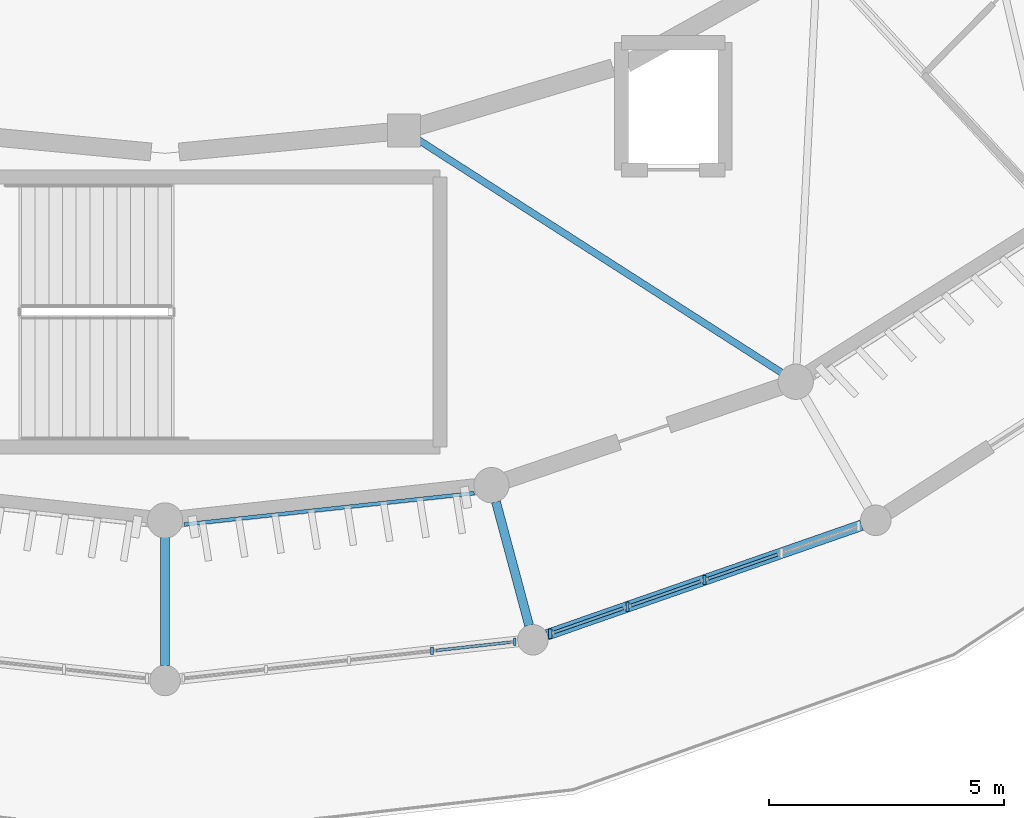
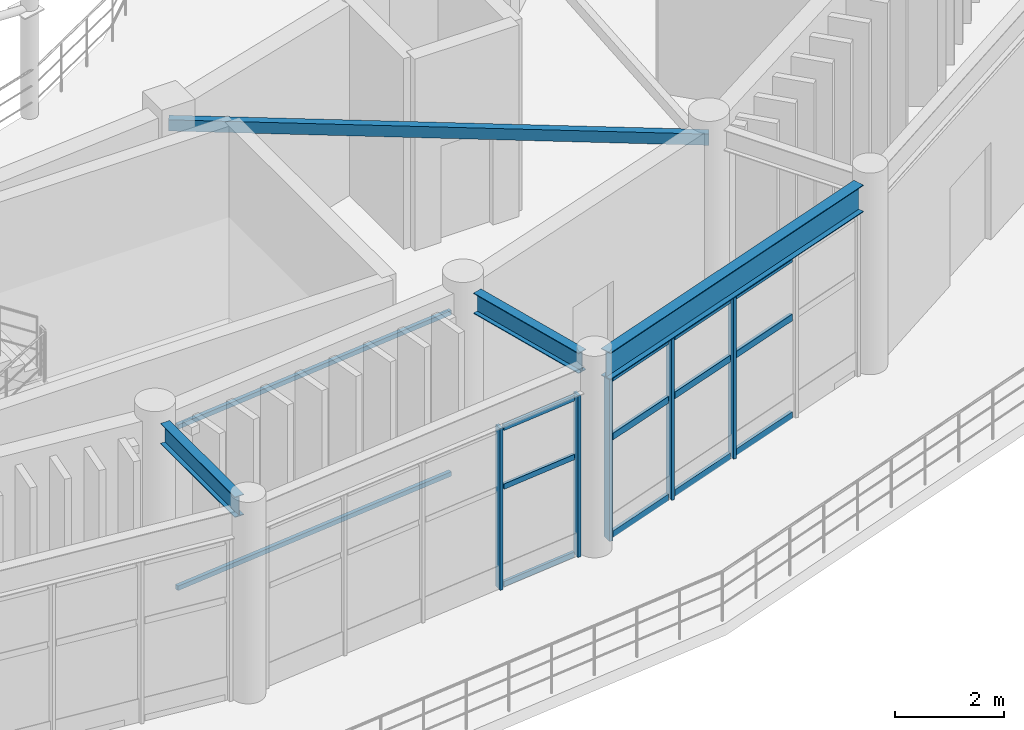
# One storey, part 9 of 45: 20 members, 3 beams, 2 elements without a shape of their own.
"""IFC4 building model written with IfcOpenShell, lengths in metres."""

import ifcopenshell
import ifcopenshell.guid

model = None  # the IFC model being written
_history = None  # IfcOwnerHistory: only IFC2X3 demands one
_inside = {}  # id of a spatial element -> (the spatial element, [elements in it])
_under = {}  # id of a project, library or spatial element -> (it, [spatial elements below it])
_declared = {}  # id of a project -> (the project, [libraries it declares])
_typed = {}  # id of a type object -> (the type object, [elements of that type])
_made_of = {}  # id of a material, layer set ... -> (it, [elements and type objects made of it])


def new_model(schema):
    """Start an empty IFC model of exactly this schema.

    Asked for "IFC4X3", IfcOpenShell would pick the latest addendum, in which some entities
    have other attributes; the version numbers below select the first issue.
    IFC2X3 requires an IfcOwnerHistory on every rooted entity: one is made here for all.
    """
    global model, _history
    if schema == "IFC4X3":
        model = ifcopenshell.file(schema_version=(4, 3, 0, 0))
    else:
        model = ifcopenshell.file(schema=schema)
    _inside.clear()
    _under.clear()
    _declared.clear()
    _typed.clear()
    _made_of.clear()
    _history = None
    if model.schema == "IFC2X3":
        org = make("IfcOrganization", Name="unknown")
        user = make(
            "IfcPersonAndOrganization",
            ThePerson=make("IfcPerson", FamilyName="unknown"),
            TheOrganization=org,
        )
        app = make(
            "IfcApplication",
            ApplicationDeveloper=org,
            Version="unknown",
            ApplicationFullName="unknown",
            ApplicationIdentifier="unknown",
        )
        _history = make(
            "IfcOwnerHistory",
            OwningUser=user,
            OwningApplication=app,
            ChangeAction="ADDED",
            CreationDate=0,
        )
    return model


def make(cls, **values):
    """One entity of the class cls with the attributes given. An attribute that is None is left unset."""
    return model.create_entity(
        cls, **{name: value for name, value in values.items() if value is not None}
    )


def rooted(cls, **values):
    """An entity with a GlobalId (a new one), such as an element, a storey or a relation."""
    return make(cls, GlobalId=ifcopenshell.guid.new(), OwnerHistory=_history, **values)


def si_unit(unit_type, name, prefix=None):
    """IfcSIUnit, for example si_unit("LENGTHUNIT", "METRE", prefix="MILLI")."""
    return make("IfcSIUnit", UnitType=unit_type, Prefix=prefix, Name=name)


def assignment(units):
    """IfcUnitAssignment: the units of a project."""
    return None if units is None else make("IfcUnitAssignment", Units=units)


def point(xyz):
    """IfcCartesianPoint."""
    return None if xyz is None else make("IfcCartesianPoint", Coordinates=xyz)


def direction(xyz):
    """IfcDirection."""
    return None if xyz is None else make("IfcDirection", DirectionRatios=xyz)


def frame(location, z_axis=None, x_axis=None):
    """IfcAxis2Placement3D, a coordinate frame: its origin and axes. An axis left out is left unset."""
    return make(
        "IfcAxis2Placement3D",
        Location=point(location),
        Axis=direction(z_axis),
        RefDirection=direction(x_axis),
    )


def frame_2d(location, x_axis=None):
    """IfcAxis2Placement2D, a coordinate frame in the plane: its origin and x axis."""
    return make(
        "IfcAxis2Placement2D", Location=point(location), RefDirection=direction(x_axis)
    )


def origin():
    """The frame at (0, 0, 0) with its axes left unset."""
    return frame((0.0, 0.0, 0.0))


def origin_2d():
    """The frame at (0, 0) in the plane with its x axis left unset."""
    return frame_2d((0.0, 0.0))


def place(relative_to, where):
    """IfcLocalPlacement: puts the frame where relative to a parent placement (None: the world)."""
    return make(
        "IfcLocalPlacement", PlacementRelTo=relative_to, RelativePlacement=where
    )


def context(
    kind, dimensions, precision=None, world=None, true_north=None, identifier=None
):
    """IfcGeometricRepresentationContext, for example the 3D "Model" context."""
    return make(
        "IfcGeometricRepresentationContext",
        ContextIdentifier=identifier,
        ContextType=kind,
        CoordinateSpaceDimension=dimensions,
        Precision=precision,
        WorldCoordinateSystem=world,
        TrueNorth=true_north,
    )


def subcontext(parent, identifier, kind, view, scale=None):
    """IfcGeometricRepresentationSubContext, for example "Body" below "Model"."""
    return make(
        "IfcGeometricRepresentationSubContext",
        ContextIdentifier=identifier,
        ContextType=kind,
        ParentContext=parent,
        TargetScale=scale,
        TargetView=view,
    )


def project(units=None, contexts=None):
    """IfcProject with its units and contexts."""
    return rooted(
        "IfcProject",
        Name="project",
        RepresentationContexts=contexts,
        UnitsInContext=assignment(units),
    )


def spatial(cls, under=None, at=None, **own):
    """A site, building, storey or space (cls), placed at a placement, below another one or the project."""
    s = rooted(cls, ObjectPlacement=at, **own)
    if under is not None:
        _under.setdefault(under.id(), (under, []))[1].append(s)
    return s


def profile(cls, at=None, kind="AREA", **sizes):
    """A parametric profile (cls). Its sizes go by their IFC names, for example OverallWidth=200.0."""
    return make(cls, ProfileType=kind, Position=at, **sizes)


def rectangle(**sizes):
    """IfcRectangleProfileDef."""
    return profile("IfcRectangleProfileDef", **sizes)


def hollow_rectangle(**sizes):
    """IfcRectangleHollowProfileDef."""
    return profile("IfcRectangleHollowProfileDef", **sizes)


def i_section(**sizes):
    """IfcIShapeProfileDef."""
    return profile("IfcIShapeProfileDef", **sizes)


def extrude(swept, where, along, depth):
    """IfcExtrudedAreaSolid: the profile swept, set in the frame where, extruded along a direction by depth."""
    return make(
        "IfcExtrudedAreaSolid",
        SweptArea=swept,
        Position=where,
        ExtrudedDirection=direction(along),
        Depth=depth,
    )


def shape(context_of_items, identifier, shape_type, items):
    """IfcShapeRepresentation: the items that make up one representation, for example the "Body"."""
    return make(
        "IfcShapeRepresentation",
        ContextOfItems=context_of_items,
        RepresentationIdentifier=identifier,
        RepresentationType=shape_type,
        Items=items,
    )


def material(Name=None, Category=None):
    """IfcMaterial."""
    return make("IfcMaterial", Name=Name, Category=Category)


def material_profile(
    of_material, cross_section, Name=None, Category=None, Priority=None
):
    """IfcMaterialProfile: a cross section and its material."""
    return make(
        "IfcMaterialProfile",
        Name=Name,
        Material=of_material,
        Profile=cross_section,
        Priority=Priority,
        Category=Category,
    )


def profile_set(profiles, Name=None, composite=None):
    """IfcMaterialProfileSet."""
    return make(
        "IfcMaterialProfileSet",
        Name=Name,
        MaterialProfiles=profiles,
        CompositeProfile=composite,
    )


def made_of(thing, what):
    """Note that an element or type object is made of a material, layer set ...; save() writes the relation."""
    if what is not None:
        _made_of.setdefault(what.id(), (what, []))[1].append(thing)
    return thing


def type_object(cls, material=None, **own):
    """A type object (cls), such as IfcWallType, which elements share."""
    return made_of(rooted(cls, **own), material)


def element(
    cls,
    number,
    at=None,
    inside=None,
    cuts=None,
    type_object=None,
    material=None,
    context=None,
    identifier="Body",
    shape_type=None,
    held_by="IfcProductDefinitionShape",
    body=None,
    shapes=None,
    **own,
):
    """One element of the class cls, such as IfcWall. Its Tag is "e" and its number.

    at: its placement. inside: the storey or other place that contains it. cuts: it is an
    opening in that element (IfcRelVoidsElement). A single representation is given by context,
    identifier, shape_type and body (its items); several are given by shapes. held_by: the class
    of the entity that holds the representations. save() writes the other relations.
    """
    e = rooted(cls, Tag="e%d" % number, ObjectPlacement=at, **own)
    if body is not None:
        shapes = [shape(context, identifier, shape_type, body)]
    if shapes is not None:
        e.Representation = make(held_by, Representations=shapes)
    if inside is not None:
        _inside.setdefault(inside.id(), (inside, []))[1].append(e)
    if cuts is not None:
        rooted(
            "IfcRelVoidsElement", RelatingBuildingElement=cuts, RelatedOpeningElement=e
        )
    if type_object is not None:
        _typed.setdefault(type_object.id(), (type_object, []))[1].append(e)
    return made_of(e, material)


def aggregate(whole, parts):
    """IfcRelAggregates: a whole, such as a stair, and the parts it consists of."""
    return rooted("IfcRelAggregates", RelatingObject=whole, RelatedObjects=parts)


def save(model, path):
    """Write the relations noted so far, then the file.

    IfcRelAggregates (storeys below a building ...), IfcRelContainedInSpatialStructure (elements
    in a storey), IfcRelDefinesByType, IfcRelAssociatesMaterial and IfcRelDeclares: one each for
    every whole, place, type object, material and project.
    """
    for whole, parts in _under.values():
        aggregate(whole, parts)
    for where, things in _inside.values():
        rooted(
            "IfcRelContainedInSpatialStructure",
            RelatedElements=things,
            RelatingStructure=where,
        )
    for kind, things in _typed.values():
        rooted("IfcRelDefinesByType", RelatedObjects=things, RelatingType=kind)
    for what, things in _made_of.values():
        rooted("IfcRelAssociatesMaterial", RelatedObjects=things, RelatingMaterial=what)
    for by, libraries in _declared.values():
        rooted("IfcRelDeclares", RelatingContext=by, RelatedDefinitions=libraries)
    model.write(path)


model = new_model("IFC4")

# Units and contexts
model_context = context("Model", 3, precision=1e-05, world=origin(), true_north=direction((0.0, 1.0)))
body_context = subcontext(model_context, "Body", "Model", "MODEL_VIEW")
ifc_project = project(units=[si_unit("LENGTHUNIT", "METRE"), si_unit("AREAUNIT", "SQUARE_METRE"), si_unit("VOLUMEUNIT", "CUBIC_METRE"), si_unit("PLANEANGLEUNIT", "RADIAN"), si_unit("MASSUNIT", "GRAM", prefix="KILO")], contexts=[model_context])

# Site, building, storey
site_placement = place(None, origin())
site = spatial("IfcSite", under=ifc_project, at=site_placement, CompositionType="ELEMENT")
building_placement = place(site_placement, origin())
building = spatial("IfcBuilding", under=site, at=building_placement, Name="Cinderbank Siding Concert Hall", CompositionType="ELEMENT")
storey_placement = place(building_placement, frame((0.0, 0.0, 19.199951171875)))
storey = spatial("IfcBuildingStorey", under=building, at=storey_placement, Name="L05", CompositionType="ELEMENT", Elevation=19.199951171875)

# Beams
ifc_material_1 = material(Name="Structural steel AS/NZS 3679.1 Grade 350 (340 MPa)", Category="steel")
ifc_material_profile_1 = material_profile(ifc_material_1, i_section(OverallWidth=0.19091796875, OverallDepth=0.46044921875, WebThickness=0.010009765625, FlangeThickness=0.01611328125, at=origin_2d()), Name="460UB82.1", Category="LoadBearing")
ifc_profile_set_1 = profile_set([ifc_material_profile_1], Name="Structural steel AS/NZS 3679.1 Grade 350 (340 MPa)")
beam_type_1 = type_object("IfcBeamType", Name="BM-UB460H 460UB82.1", PredefinedType="BEAM", material=ifc_profile_set_1)
beam_1_placement = place(storey_placement, frame((122.0, 21.633056640625, 4.001953125), z_axis=(0.0, -1.0, 0.0), x_axis=(1.0, 0.0, 0.0)))
element("IfcBeam", 1, at=beam_1_placement, inside=storey, type_object=beam_type_1, Name="L05 Beam BM-UB460H #811", PredefinedType="BEAM", context=body_context, shape_type="SweptSolid", body=[
    extrude(i_section(OverallWidth=0.19091796875, OverallDepth=0.46044921875, WebThickness=0.010009765625, FlangeThickness=0.01611328125, at=origin_2d()), origin(), (0.0, 0.0, 1.0), 2.716064453125),
])
beam_2_placement = place(storey_placement, frame((129.031494140625, 22.39501953125, 4.001953125), z_axis=(0.258809477387, -0.9659283899, 0.0), x_axis=(0.9659283899, 0.258809477387, 0.0)))
element("IfcBeam", 2, at=beam_2_placement, inside=storey, type_object=beam_type_1, Name="L05 Beam BM-UB460H #812", PredefinedType="BEAM", context=body_context, shape_type="SweptSolid", body=[
    extrude(i_section(OverallWidth=0.19091796875, OverallDepth=0.46044921875, WebThickness=0.010009765625, FlangeThickness=0.01611328125, at=origin_2d()), origin(), (0.0, 0.0, 1.0), 2.7158203125),
])
ifc_material_profile_2 = material_profile(ifc_material_1, i_section(OverallWidth=0.22802734375, OverallDepth=0.60693359375, WebThickness=0.01123046875, FlangeThickness=0.017333984375, at=origin_2d()), Name="610UB113", Category="LoadBearing")
ifc_profile_set_2 = profile_set([ifc_material_profile_2], Name="Structural steel AS/NZS 3679.1 Grade 350 (340 MPa)")
beam_type_2 = type_object("IfcBeamType", Name="BM-UB610M 610UB113", PredefinedType="BEAM", material=ifc_profile_set_2)
beam_3_placement = place(storey_placement, frame((130.11572265625, 19.56982421875, 3.928466796875), z_axis=(0.944334299593, 0.328987432301, 0.0), x_axis=(-0.328987432301, 0.944334299593, 0.0)))
element("IfcBeam", 3, at=beam_3_placement, inside=storey, type_object=beam_type_2, Name="L05 Beam BM-UB610M #778", PredefinedType="BEAM", context=body_context, shape_type="SweptSolid", body=[
    extrude(i_section(OverallWidth=0.22802734375, OverallDepth=0.60693359375, WebThickness=0.01123046875, FlangeThickness=0.017333984375, at=origin_2d()), origin(), (0.0, 0.0, 1.0), 7.078857421875),
])

# Curtain wall, members
ifc_material_2 = material(Name="Anodised aluminium alloy 6063-T6", Category="aluminium")
curtain_wall_type_1 = type_object("IfcCurtainWallType", Name="CW-11 Unitised Acoustic Curtain Wall 6600x3500", PredefinedType="NOTDEFINED", material=ifc_material_2)
curtain_wall_1_placement = place(storey_placement, origin())
curtain_wall_1 = element("IfcCurtainWall", 4, at=curtain_wall_1_placement, inside=storey, type_object=curtain_wall_type_1, Name="L05 Curtain Wall CW-11 #88", PredefinedType="NOTDEFINED")
ifc_material_profile_3 = material_profile(ifc_material_2, rectangle(XDim=0.06005859375, YDim=0.159912109375, at=origin_2d()), Name="ALU-MULL-60x160", Category="LoadBearing")
ifc_profile_set_3 = profile_set([ifc_material_profile_3], Name="Anodised aluminium alloy 6063-T6")
member_type_1 = type_object("IfcMemberType", Name="CW-ML1 Mullion 60x160", PredefinedType="MULLION", material=ifc_profile_set_3)
member_1_placement = place(storey_placement, frame((127.66845703125, 19.227783203125, 0.0), z_axis=(0.0, 0.0, 1.0), x_axis=(1.0, 0.0, 0.0)))
member_1 = element("IfcMember", 5, at=member_1_placement, type_object=member_type_1, Name="CW-L05-088 Mullion 3", PredefinedType="MULLION", context=body_context, shape_type="SweptSolid", body=[
    extrude(rectangle(XDim=0.06005859375, YDim=0.159912109375, at=origin_2d()), origin(), (0.0, 0.0, 1.0), 3.610107421875),
])
member_2_placement = place(storey_placement, frame((129.4287109375, 19.422607421875, 0.0), z_axis=(0.0, 0.0, 1.0), x_axis=(1.0, 0.0, 0.0)))
member_2 = element("IfcMember", 6, at=member_2_placement, type_object=member_type_1, Name="CW-L05-088 Mullion 4", PredefinedType="MULLION", context=body_context, shape_type="SweptSolid", body=[
    extrude(rectangle(XDim=0.06005859375, YDim=0.159912109375, at=origin_2d()), origin(), (0.0, 0.0, 1.0), 3.610107421875),
])

curtain_wall_type_2 = type_object("IfcCurtainWallType", Name="CW-12 Unitised Acoustic Curtain Wall 5800x3500", PredefinedType="NOTDEFINED", material=ifc_material_2)
curtain_wall_2_placement = place(storey_placement, origin())
curtain_wall_2 = element("IfcCurtainWall", 7, at=curtain_wall_2_placement, inside=storey, type_object=curtain_wall_type_2, Name="L05 Curtain Wall CW-12 #89", PredefinedType="NOTDEFINED")
ifc_material_profile_4 = material_profile(ifc_material_2, rectangle(XDim=0.06494140625, YDim=0.199951171875, at=origin_2d()), Name="ALU-MULL-65x200", Category="LoadBearing")
ifc_profile_set_4 = profile_set([ifc_material_profile_4], Name="Anodised aluminium alloy 6063-T6")
member_type_2 = type_object("IfcMemberType", Name="CW-ML2 Mullion 65x200", PredefinedType="MULLION", material=ifc_profile_set_4)
member_3_placement = place(storey_placement, frame((130.1845703125, 19.59375, 0.0), z_axis=(0.0, 0.0, 1.0), x_axis=(1.0, 0.0, 0.0)))
member_3 = element("IfcMember", 8, at=member_3_placement, type_object=member_type_2, Name="CW-L05-089 Mullion 0", PredefinedType="MULLION", context=body_context, shape_type="SweptSolid", body=[
    extrude(rectangle(XDim=0.06494140625, YDim=0.199951171875, at=origin_2d()), origin(), (0.0, 0.0, 1.0), 3.610107421875),
])
member_4_placement = place(storey_placement, frame((131.8212890625, 20.1640625, 0.0), z_axis=(0.0, 0.0, 1.0), x_axis=(1.0, 0.0, 0.0)))
member_4 = element("IfcMember", 9, at=member_4_placement, type_object=member_type_2, Name="CW-L05-089 Mullion 1", PredefinedType="MULLION", context=body_context, shape_type="SweptSolid", body=[
    extrude(rectangle(XDim=0.06494140625, YDim=0.199951171875, at=origin_2d()), origin(), (0.0, 0.0, 1.0), 3.610107421875),
])
member_5_placement = place(storey_placement, frame((133.4580078125, 20.734375, 0.0), z_axis=(0.0, 0.0, 1.0), x_axis=(1.0, 0.0, 0.0)))
member_5 = element("IfcMember", 10, at=member_5_placement, type_object=member_type_2, Name="CW-L05-089 Mullion 2", PredefinedType="MULLION", context=body_context, shape_type="SweptSolid", body=[
    extrude(rectangle(XDim=0.06494140625, YDim=0.199951171875, at=origin_2d()), origin(), (0.0, 0.0, 1.0), 3.610107421875),
])

# Member
ifc_material_profile_5 = material_profile(ifc_material_2, rectangle(XDim=0.06005859375, YDim=0.1201171875, at=origin_2d()), Name="ALU-TRAN-60x120", Category="LoadBearing")
ifc_profile_set_5 = profile_set([ifc_material_profile_5], Name="Anodised aluminium alloy 6063-T6")
member_type_3 = type_object("IfcMemberType", Name="CW-TR1 Transom 60x120", PredefinedType="USERDEFINED", material=ifc_profile_set_5)
member_6_placement = place(storey_placement, frame((127.75634765625, 19.2373046875, 0.06005859375), z_axis=(0.993919168469, 0.110112154411, 0.0), x_axis=(-0.110112154411, 0.993919168469, 0.0)))
member_6 = element("IfcMember", 11, at=member_6_placement, type_object=member_type_3, Name="CW-L05-088 Transom 3-0", ObjectType="TRANSOM", PredefinedType="USERDEFINED", context=body_context, shape_type="SweptSolid", body=[
    extrude(rectangle(XDim=0.06005859375, YDim=0.1201171875, at=origin_2d()), origin(), (0.0, 0.0, 1.0), 1.59423828125),
])

member_7_placement = place(storey_placement, frame((127.75634765625, 19.2373046875, 2.23828125), z_axis=(0.993919168469, 0.110112154411, 0.0), x_axis=(-0.110112154411, 0.993919168469, 0.0)))
member_7 = element("IfcMember", 12, at=member_7_placement, type_object=member_type_3, Name="CW-L05-088 Transom 3-1", ObjectType="TRANSOM", PredefinedType="USERDEFINED", context=body_context, shape_type="SweptSolid", body=[
    extrude(rectangle(XDim=0.06005859375, YDim=0.1201171875, at=origin_2d()), origin(), (0.0, 0.0, 1.0), 1.59423828125),
])

member_8_placement = place(storey_placement, frame((127.75634765625, 19.2373046875, 3.550048828125), z_axis=(0.993919168469, 0.110112154411, 0.0), x_axis=(-0.110112154411, 0.993919168469, 0.0)))
member_8 = element("IfcMember", 13, at=member_8_placement, type_object=member_type_3, Name="CW-L05-088 Transom 3-2", ObjectType="TRANSOM", PredefinedType="USERDEFINED", context=body_context, shape_type="SweptSolid", body=[
    extrude(rectangle(XDim=0.06005859375, YDim=0.1201171875, at=origin_2d()), origin(), (0.0, 0.0, 1.0), 1.59423828125),
])

aggregate(curtain_wall_1, [member_1, member_2, member_6, member_7, member_8])

ifc_material_profile_6 = material_profile(ifc_material_2, rectangle(XDim=0.06494140625, YDim=0.14990234375, at=origin_2d()), Name="ALU-TRAN-65x150", Category="LoadBearing")
ifc_profile_set_6 = profile_set([ifc_material_profile_6], Name="Anodised aluminium alloy 6063-T6")
member_type_4 = type_object("IfcMemberType", Name="CW-TR2 Transom 65x150", PredefinedType="USERDEFINED", material=ifc_profile_set_6)
member_9_placement = place(storey_placement, frame((130.266357421875, 19.622314453125, 0.06005859375), z_axis=(0.944340450587, 0.328969775793, 0.0), x_axis=(-0.328969775793, 0.944340450587, 0.0)))
member_9 = element("IfcMember", 14, at=member_9_placement, type_object=member_type_4, Name="CW-L05-089 Transom 0-0", ObjectType="TRANSOM", PredefinedType="USERDEFINED", context=body_context, shape_type="SweptSolid", body=[
    extrude(rectangle(XDim=0.06494140625, YDim=0.14990234375, at=origin_2d()), origin(), (0.0, 0.0, 1.0), 1.56005859375),
])

member_10_placement = place(storey_placement, frame((130.266357421875, 19.622314453125, 2.23828125), z_axis=(0.944340450587, 0.328969775793, 0.0), x_axis=(-0.328969775793, 0.944340450587, 0.0)))
member_10 = element("IfcMember", 15, at=member_10_placement, type_object=member_type_4, Name="CW-L05-089 Transom 0-1", ObjectType="TRANSOM", PredefinedType="USERDEFINED", context=body_context, shape_type="SweptSolid", body=[
    extrude(rectangle(XDim=0.06494140625, YDim=0.14990234375, at=origin_2d()), origin(), (0.0, 0.0, 1.0), 1.56005859375),
])

member_11_placement = place(storey_placement, frame((130.266357421875, 19.622314453125, 3.550048828125), z_axis=(0.944340450587, 0.328969775793, 0.0), x_axis=(-0.328969775793, 0.944340450587, 0.0)))
member_11 = element("IfcMember", 16, at=member_11_placement, type_object=member_type_4, Name="CW-L05-089 Transom 0-2", ObjectType="TRANSOM", PredefinedType="USERDEFINED", context=body_context, shape_type="SweptSolid", body=[
    extrude(rectangle(XDim=0.06494140625, YDim=0.14990234375, at=origin_2d()), origin(), (0.0, 0.0, 1.0), 1.56005859375),
])

member_12_placement = place(storey_placement, frame((131.9033203125, 20.1923828125, 0.06005859375), z_axis=(0.944274869359, 0.32915797286, 0.0), x_axis=(-0.32915797286, 0.944274869359, 0.0)))
member_12 = element("IfcMember", 17, at=member_12_placement, type_object=member_type_4, Name="CW-L05-089 Transom 1-0", ObjectType="TRANSOM", PredefinedType="USERDEFINED", context=body_context, shape_type="SweptSolid", body=[
    extrude(rectangle(XDim=0.06494140625, YDim=0.14990234375, at=origin_2d()), origin(), (0.0, 0.0, 1.0), 1.559814453125),
])

member_13_placement = place(storey_placement, frame((131.9033203125, 20.1923828125, 2.23828125), z_axis=(0.944274869359, 0.32915797286, 0.0), x_axis=(-0.32915797286, 0.944274869359, 0.0)))
member_13 = element("IfcMember", 18, at=member_13_placement, type_object=member_type_4, Name="CW-L05-089 Transom 1-1", ObjectType="TRANSOM", PredefinedType="USERDEFINED", context=body_context, shape_type="SweptSolid", body=[
    extrude(rectangle(XDim=0.06494140625, YDim=0.14990234375, at=origin_2d()), origin(), (0.0, 0.0, 1.0), 1.559814453125),
])

member_14_placement = place(storey_placement, frame((131.9033203125, 20.1923828125, 3.550048828125), z_axis=(0.944274869359, 0.32915797286, 0.0), x_axis=(-0.32915797286, 0.944274869359, 0.0)))
member_14 = element("IfcMember", 19, at=member_14_placement, type_object=member_type_4, Name="CW-L05-089 Transom 1-2", ObjectType="TRANSOM", PredefinedType="USERDEFINED", context=body_context, shape_type="SweptSolid", body=[
    extrude(rectangle(XDim=0.06494140625, YDim=0.14990234375, at=origin_2d()), origin(), (0.0, 0.0, 1.0), 1.559814453125),
])

member_15_placement = place(storey_placement, frame((133.5400390625, 20.7626953125, 0.06005859375), z_axis=(0.944340450587, 0.328969775793, 0.0), x_axis=(-0.328969775793, 0.944340450587, 0.0)))
member_15 = element("IfcMember", 20, at=member_15_placement, type_object=member_type_4, Name="CW-L05-089 Transom 2-0", ObjectType="TRANSOM", PredefinedType="USERDEFINED", context=body_context, shape_type="SweptSolid", body=[
    extrude(rectangle(XDim=0.06494140625, YDim=0.14990234375, at=origin_2d()), origin(), (0.0, 0.0, 1.0), 1.56005859375),
])

member_16_placement = place(storey_placement, frame((133.5400390625, 20.7626953125, 2.23828125), z_axis=(0.944340450587, 0.328969775793, 0.0), x_axis=(-0.328969775793, 0.944340450587, 0.0)))
member_16 = element("IfcMember", 21, at=member_16_placement, type_object=member_type_4, Name="CW-L05-089 Transom 2-1", ObjectType="TRANSOM", PredefinedType="USERDEFINED", context=body_context, shape_type="SweptSolid", body=[
    extrude(rectangle(XDim=0.06494140625, YDim=0.14990234375, at=origin_2d()), origin(), (0.0, 0.0, 1.0), 1.56005859375),
])

member_17_placement = place(storey_placement, frame((133.5400390625, 20.7626953125, 3.550048828125), z_axis=(0.944340450587, 0.328969775793, 0.0), x_axis=(-0.328969775793, 0.944340450587, 0.0)))
member_17 = element("IfcMember", 22, at=member_17_placement, type_object=member_type_4, Name="CW-L05-089 Transom 2-2", ObjectType="TRANSOM", PredefinedType="USERDEFINED", context=body_context, shape_type="SweptSolid", body=[
    extrude(rectangle(XDim=0.06494140625, YDim=0.14990234375, at=origin_2d()), origin(), (0.0, 0.0, 1.0), 1.56005859375),
])

aggregate(curtain_wall_2, [member_3, member_4, member_5, member_9, member_10, member_11, member_12, member_13, member_14, member_15, member_16, member_17])

# Members
ifc_material_profile_7 = material_profile(ifc_material_2, rectangle(XDim=0.080078125, YDim=0.10009765625, at=origin_2d()), Name="ALU-RAIL-80x100", Category="LoadBearing")
ifc_profile_set_7 = profile_set([ifc_material_profile_7], Name="Anodised aluminium alloy 6063-T6")
member_type_5 = type_object("IfcMemberType", Name="LV-RL1 Carrier Rail 80x100", PredefinedType="STUD", material=ifc_profile_set_7)
for number, where, z_axis, x_axis, name in (
    (23, (122.408203125, 21.91357421875, 0.219970703125), (0.994211711823, 0.107438689841, 0.0), (-0.107438689841, 0.994211711823, 0.0), "L05 Louvre Carrier Rail 19 BOT"),
    (24, (122.408203125, 21.91357421875, 3.820068359375), (0.994211711823, 0.107438689841, 0.0), (-0.107438689841, 0.994211711823, 0.0), "L05 Louvre Carrier Rail 19 TOP"),
):
    element("IfcMember", number, at=place(storey_placement, frame(where, z_axis=z_axis, x_axis=x_axis)), inside=storey, type_object=member_type_5, Name=name, PredefinedType="STUD", context=body_context, shape_type="SweptSolid", body=[
        extrude(rectangle(XDim=0.080078125, YDim=0.10009765625, at=origin_2d()), origin(), (0.0, 0.0, 1.0), 6.19677734375),
    ])
ifc_material_3 = material(Name="Structural steel hollow section AS/NZS 1163 Grade C350L0 (350 MPa)", Category="steel")
ifc_material_profile_8 = material_profile(ifc_material_3, hollow_rectangle(XDim=0.14990234375, YDim=0.25, WallThickness=0.009033203125, at=origin_2d()), Name="250x150x9.0RHS", Category="LoadBearing")
ifc_profile_set_8 = profile_set([ifc_material_profile_8], Name="Structural steel hollow section AS/NZS 1163 Grade C350L0 (350 MPa)")
member_type_6 = type_object("IfcMemberType", Name="TR-RHS250 250x150x9.0RHS Roof Truss", PredefinedType="RAFTER", material=ifc_profile_set_8)
member_18_placement = place(storey_placement, frame((127.072998046875, 30.283935546875, 3.880126953125), z_axis=(0.841940386591, -0.539570556487, 0.0), x_axis=(0.539570556487, 0.841940386591, 0.0)))
element("IfcMember", 25, at=member_18_placement, inside=storey, type_object=member_type_6, Name="L05 Roof Truss Member TR-RHS250 #2321", PredefinedType="RAFTER", context=body_context, shape_type="SweptSolid", body=[
    extrude(hollow_rectangle(XDim=0.14990234375, YDim=0.25, WallThickness=0.009033203125, at=origin_2d()), origin(), (0.0, 0.0, 1.0), 9.89013671875),
])

save(model, "model.ifc")
